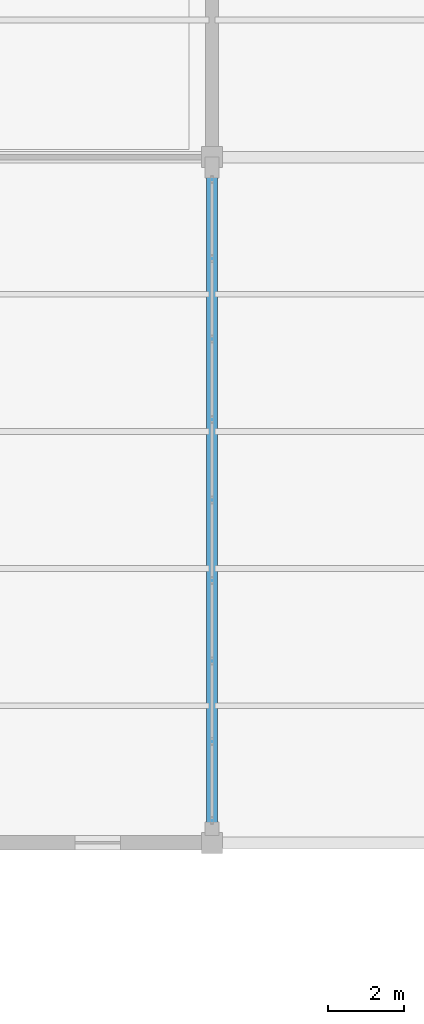
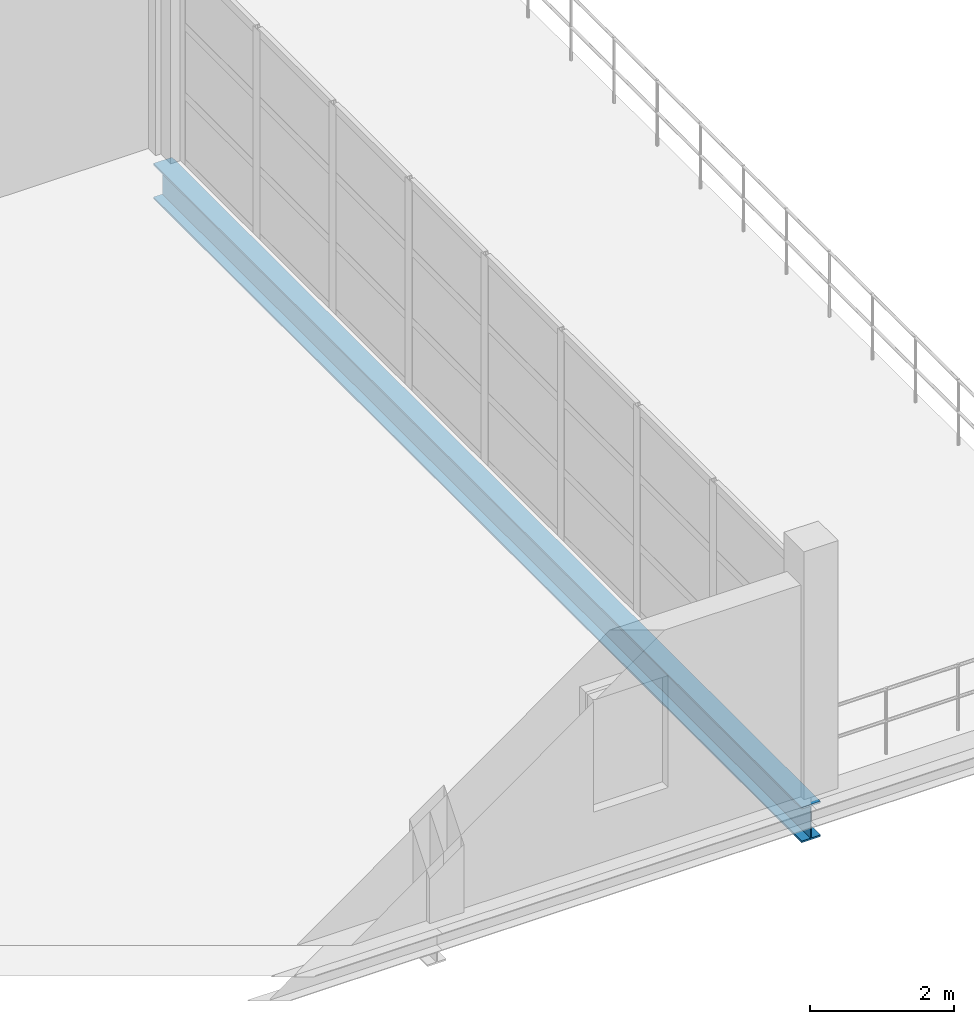
# One storey, part 12 of 86: 1 beam.
"""IFC4 building model written with IfcOpenShell, lengths in metres."""

from ifc_helpers import new_model, si_unit, direction, frame, origin, origin_2d, place, context, subcontext, project, spatial, i_section, extrude, material, material_profile, profile_set, type_object, element, save


model = new_model("IFC4")

# Units and contexts
model_context = context("Model", 3, precision=1e-05, world=origin(), true_north=direction((0.0, 1.0)))
body_context = subcontext(model_context, "Body", "Model", "MODEL_VIEW")
ifc_project = project(units=[si_unit("LENGTHUNIT", "METRE"), si_unit("AREAUNIT", "SQUARE_METRE"), si_unit("VOLUMEUNIT", "CUBIC_METRE"), si_unit("PLANEANGLEUNIT", "RADIAN"), si_unit("MASSUNIT", "GRAM", prefix="KILO")], contexts=[model_context])

# Site, building, storey
site_placement = place(None, origin())
site = spatial("IfcSite", under=ifc_project, at=site_placement, CompositionType="ELEMENT")
building_placement = place(site_placement, origin())
building = spatial("IfcBuilding", under=site, at=building_placement, Name="Zilviju Railside Exhibition Hall", CompositionType="ELEMENT")
storey_placement = place(building_placement, frame((0.0, 0.0, 12.60009765625)))
storey = spatial("IfcBuildingStorey", under=building, at=storey_placement, Name="L04", CompositionType="ELEMENT", Elevation=12.60009765625)

# Beam
ifc_material = material(Name="Steel S355J2", Category="steel")
ifc_material_profile = material_profile(ifc_material, i_section(OverallWidth=0.300048828125, OverallDepth=0.60009765625, WebThickness=0.015380859375, FlangeThickness=0.030029296875, at=origin_2d()), Name="HEB 600")
ifc_profile_set = profile_set([ifc_material_profile], Name="Steel S355J2")
beam_type = type_object("IfcBeamType", Name="BM-HEB600", PredefinedType="BEAM", material=ifc_profile_set)
beam_placement = place(storey_placement, frame((42.0, 84.0, -0.64013671875), z_axis=(0.0, 1.0, 0.0), x_axis=(-1.0, 0.0, 0.0)))
element("IfcBeam", 1, at=beam_placement, inside=storey, type_object=beam_type, Name="Transverse Girder L04 X=42.0 (84.0..102.0)", PredefinedType="BEAM", context=body_context, shape_type="SweptSolid", body=[
    extrude(i_section(OverallWidth=0.300048828125, OverallDepth=0.60009765625, WebThickness=0.015380859375, FlangeThickness=0.030029296875, at=origin_2d()), origin(), (0.0, 0.0, 1.0), 18.0),
])

save(model, "model.ifc")
